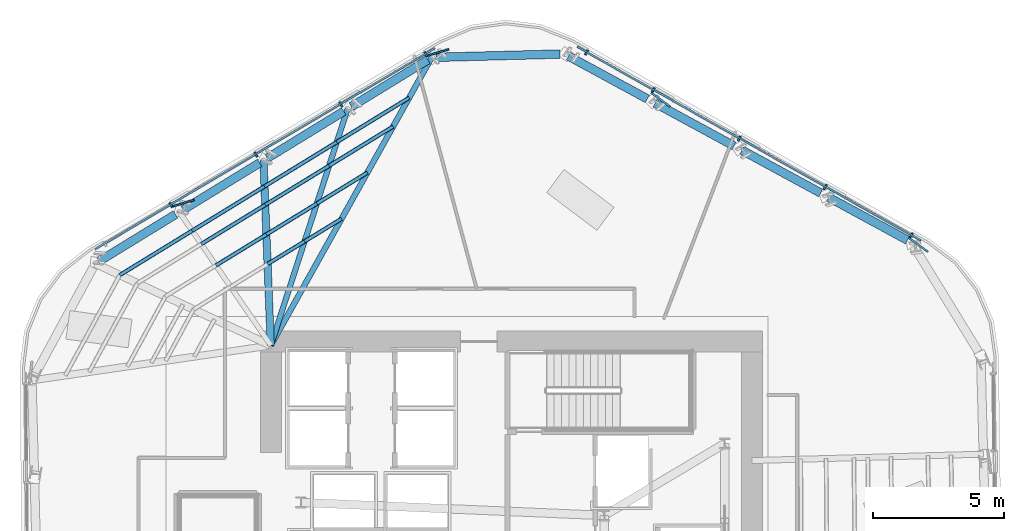
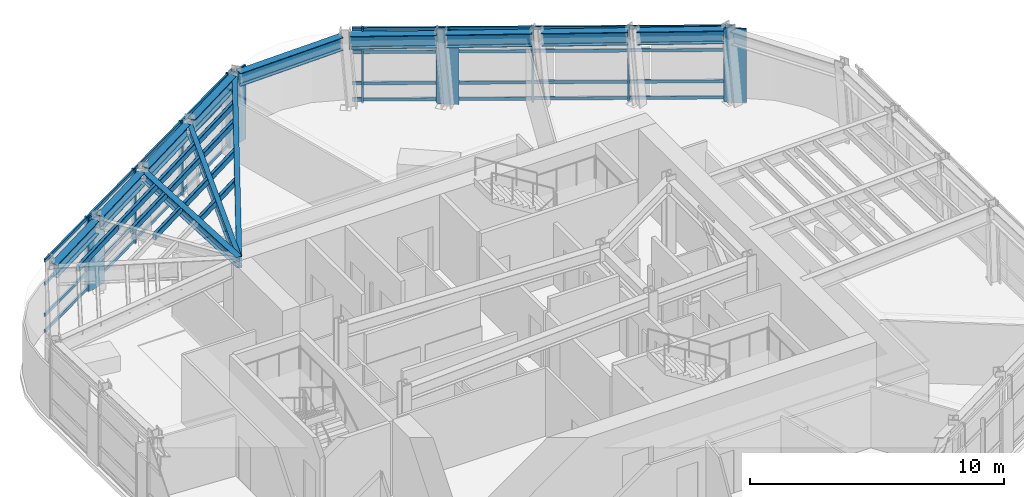
# One storey, part 6 of 16: 33 members, 12 beams, 2 elements without a shape of their own.
"""IFC4 building model written with IfcOpenShell, lengths in metres."""

from ifc_helpers import new_model, si_unit, direction, frame, origin, origin_2d, place, context, subcontext, project, spatial, rectangle, hollow_rectangle, i_section, extrude, material, layer, layer_set, material_profile, profile_set, type_object, element, aggregate, save


model = new_model("IFC4")

# Units and contexts
model_context = context("Model", 3, precision=1e-05, world=origin(), true_north=direction((0.0, 1.0)))
body_context = subcontext(model_context, "Body", "Model", "MODEL_VIEW")
ifc_project = project(units=[si_unit("LENGTHUNIT", "METRE"), si_unit("AREAUNIT", "SQUARE_METRE"), si_unit("VOLUMEUNIT", "CUBIC_METRE"), si_unit("PLANEANGLEUNIT", "RADIAN"), si_unit("MASSUNIT", "GRAM", prefix="KILO")], contexts=[model_context])

# Site, building, storey
site_placement = place(None, origin())
site = spatial("IfcSite", under=ifc_project, at=site_placement, CompositionType="ELEMENT")
building_placement = place(site_placement, origin())
building = spatial("IfcBuilding", under=site, at=building_placement, Name="Valkerne Bourse Tower", CompositionType="ELEMENT")
storey_placement = place(building_placement, frame((0.0, 0.0, 155.199951171875)))
storey = spatial("IfcBuildingStorey", under=building, at=storey_placement, Name="L39", CompositionType="ELEMENT", Elevation=155.199951171875)

# Beams
ifc_material_1 = material(Name="Steel ASTM A992", Category="steel")
ifc_material_profile_1 = material_profile(ifc_material_1, i_section(OverallWidth=0.279296875, OverallDepth=0.46240234375, WebThickness=0.0107421875, FlangeThickness=0.017333984375, FilletRadius=0.017822265625, at=origin_2d()), Name="W18X76")
ifc_profile_set_1 = profile_set([ifc_material_profile_1], Name="Steel ASTM A992")
beam_type_1 = type_object("IfcBeamType", Name="BM-W18X76", PredefinedType="BEAM", material=ifc_profile_set_1)
beam_1_placement = place(storey_placement, frame((37.3203125, 42.469482421875, 3.348876953125), z_axis=(0.039544966313, -0.999217791895, 0.0), x_axis=(0.999217791895, 0.039544966313, 0.0)))
element("IfcBeam", 1, at=beam_1_placement, inside=storey, type_object=beam_type_1, Name="L39 Radial Composite Floor Beam 07", PredefinedType="BEAM", context=body_context, shape_type="SweptSolid", body=[
    extrude(i_section(OverallWidth=0.279296875, OverallDepth=0.46240234375, WebThickness=0.0107421875, FlangeThickness=0.017333984375, FilletRadius=0.017822265625, at=origin_2d()), origin(), (0.0, 0.0, 1.0), 7.0751953125),
])
ifc_material_profile_2 = material_profile(ifc_material_1, i_section(OverallWidth=0.209228515625, OverallDepth=0.533447265625, WebThickness=0.01025390625, FlangeThickness=0.015625, FilletRadius=0.017822265625, at=origin_2d()), Name="W21X62")
ifc_profile_set_2 = profile_set([ifc_material_profile_2], Name="Steel ASTM A992")
beam_type_2 = type_object("IfcBeamType", Name="BM-W21X62", PredefinedType="JOIST", material=ifc_profile_set_2)
beam_2_placement = place(storey_placement, frame((40.535400390625, 44.43994140625, 3.313232421875), z_axis=(-0.308828180059, -0.951117845065, 0.0), x_axis=(0.951117845065, -0.308828180059, 0.0)))
element("IfcBeam", 2, at=beam_2_placement, inside=storey, type_object=beam_type_2, Name="L39 Radial Composite Floor Beam 06", PredefinedType="JOIST", context=body_context, shape_type="SweptSolid", body=[
    extrude(i_section(OverallWidth=0.209228515625, OverallDepth=0.533447265625, WebThickness=0.01025390625, FlangeThickness=0.015625, FilletRadius=0.017822265625, at=origin_2d()), origin(), (0.0, 0.0, 1.0), 9.504638671875),
])
ifc_material_profile_3 = material_profile(ifc_material_1, i_section(OverallWidth=0.2138671875, OverallDepth=0.548583984375, WebThickness=0.0146484375, FlangeThickness=0.023681640625, FilletRadius=0.017822265625, at=origin_2d()), Name="W21X93")
ifc_profile_set_3 = profile_set([ifc_material_profile_3], Name="Steel ASTM A992")
beam_type_3 = type_object("IfcBeamType", Name="BM-W21X93", PredefinedType="BEAM", material=ifc_profile_set_3)
beam_3_placement = place(storey_placement, frame((43.750732421875, 46.410400390625, 3.3056640625), z_axis=(-0.487682949745, -0.873020813342, 0.0), x_axis=(0.873020813342, -0.487682949745, 0.0)))
element("IfcBeam", 3, at=beam_3_placement, inside=storey, type_object=beam_type_3, Name="L39 Radial Composite Floor Beam 05", PredefinedType="BEAM", context=body_context, shape_type="SweptSolid", body=[
    extrude(i_section(OverallWidth=0.2138671875, OverallDepth=0.548583984375, WebThickness=0.0146484375, FlangeThickness=0.023681640625, FilletRadius=0.017822265625, at=origin_2d()), origin(), (0.0, 0.0, 1.0), 12.612060546875),
])
ifc_material_profile_4 = material_profile(ifc_material_1, i_section(OverallWidth=0.32763671875, OverallDepth=0.62744140625, WebThickness=0.0166015625, FlangeThickness=0.027587890625, FilletRadius=0.020263671875, at=origin_2d()), Name="W24X146")
ifc_profile_set_4 = profile_set([ifc_material_profile_4], Name="Steel ASTM A992")
beam_type_4 = type_object("IfcBeamType", Name="BM-W24X146", PredefinedType="SPANDREL", material=ifc_profile_set_4)
for number, where, z_axis, x_axis, name in (
    (4, (61.935791015625, 39.427001953125, 3.266357421875), (-0.878802278942, 0.477186079561, 0.0), (-0.477186079561, -0.878802278942, 0.0), "L39 Hexagonal Spandrel Ring Beam 00"),
    (5, (58.621826171875, 41.226318359375, 3.266357421875), (-0.878802278942, 0.477186079561, 0.0), (-0.477186079561, -0.878802278942, 0.0), "L39 Hexagonal Spandrel Ring Beam 01"),
):
    element("IfcBeam", number, at=place(storey_placement, frame(where, z_axis=z_axis, x_axis=x_axis)), inside=storey, type_object=beam_type_4, Name=name, PredefinedType="SPANDREL", context=body_context, shape_type="SweptSolid", body=[
        extrude(i_section(OverallWidth=0.32763671875, OverallDepth=0.62744140625, WebThickness=0.0166015625, FlangeThickness=0.027587890625, FilletRadius=0.020263671875, at=origin_2d()), origin(), (0.0, 0.0, 1.0), 3.430908203125),
    ])
for number, where, z_axis, x_axis, name in (
    (6, (55.307861328125, 43.025634765625, 3.266357421875), (-0.878818480583, 0.477156240854, 0.0), (-0.477156240854, -0.878818480583, 0.0), "L39 Hexagonal Spandrel Ring Beam 02"),
    (7, (51.993896484375, 44.824951171875, 3.266357421875), (-0.878818480583, 0.477156240854, 0.0), (-0.477156240854, -0.878818480583, 0.0), "L39 Hexagonal Spandrel Ring Beam 03"),
):
    element("IfcBeam", number, at=place(storey_placement, frame(where, z_axis=z_axis, x_axis=x_axis)), inside=storey, type_object=beam_type_4, Name=name, PredefinedType="SPANDREL", context=body_context, shape_type="SweptSolid", body=[
        extrude(i_section(OverallWidth=0.32763671875, OverallDepth=0.62744140625, WebThickness=0.0166015625, FlangeThickness=0.027587890625, FilletRadius=0.020263671875, at=origin_2d()), origin(), (0.0, 0.0, 1.0), 3.43115234375),
    ])
beam_4_placement = place(storey_placement, frame((48.6591796875, 46.538818359375, 3.266357421875), z_axis=(-0.999657651803, -0.026164464275, 0.0), x_axis=(0.026164464275, -0.999657651803, 0.0)))
element("IfcBeam", 8, at=beam_4_placement, inside=storey, type_object=beam_type_4, Name="L39 Hexagonal Spandrel Ring Beam 04", PredefinedType="SPANDREL", context=body_context, shape_type="SweptSolid", body=[
    extrude(i_section(OverallWidth=0.32763671875, OverallDepth=0.62744140625, WebThickness=0.0166015625, FlangeThickness=0.027587890625, FilletRadius=0.020263671875, at=origin_2d()), origin(), (0.0, 0.0, 1.0), 4.740234375),
])
for number, where, z_axis, x_axis, name in (
    (9, (43.60595703125, 46.321533203125, 3.266357421875), (-0.852646245689, -0.522488640749, 0.0), (0.522488640749, -0.852646245689, 0.0), "L39 Hexagonal Spandrel Ring Beam 05"),
    (10, (40.390625, 44.351318359375, 3.266357421875), (-0.852614546043, -0.522540367699, 0.0), (0.522540367699, -0.852614546043, 0.0), "L39 Hexagonal Spandrel Ring Beam 06"),
    (11, (37.17529296875, 42.380859375, 3.266357421875), (-0.852646245689, -0.522488640749, 0.0), (0.522488640749, -0.852646245689, 0.0), "L39 Hexagonal Spandrel Ring Beam 07"),
):
    element("IfcBeam", number, at=place(storey_placement, frame(where, z_axis=z_axis, x_axis=x_axis)), inside=storey, type_object=beam_type_4, Name=name, PredefinedType="SPANDREL", context=body_context, shape_type="SweptSolid", body=[
        extrude(i_section(OverallWidth=0.32763671875, OverallDepth=0.62744140625, WebThickness=0.0166015625, FlangeThickness=0.027587890625, FilletRadius=0.020263671875, at=origin_2d()), origin(), (0.0, 0.0, 1.0), 3.43115234375),
    ])
beam_5_placement = place(storey_placement, frame((33.9599609375, 40.410400390625, 3.266357421875), z_axis=(-0.852677944554, -0.522436908029, 0.0), x_axis=(0.522436908029, -0.852677944554, 0.0)))
element("IfcBeam", 12, at=beam_5_placement, inside=storey, type_object=beam_type_4, Name="L39 Hexagonal Spandrel Ring Beam 08", PredefinedType="SPANDREL", context=body_context, shape_type="SweptSolid", body=[
    extrude(i_section(OverallWidth=0.32763671875, OverallDepth=0.62744140625, WebThickness=0.0166015625, FlangeThickness=0.027587890625, FilletRadius=0.020263671875, at=origin_2d()), origin(), (0.0, 0.0, 1.0), 3.430908203125),
])

# Curtain wall, members
ifc_material_2 = material(Name="Aluminium AA 6063-T6", Category="aluminium")
ifc_layer = layer(ifc_material_2, 0.235107421875)
ifc_layer_set = layer_set([ifc_layer], Name="Aluminium AA 6063-T6")
curtain_wall_type = type_object("IfcCurtainWallType", Name="CW-03", PredefinedType="NOTDEFINED", material=ifc_layer_set)
curtain_wall_1_placement = place(storey_placement, origin())
curtain_wall_1 = element("IfcCurtainWall", 13, at=curtain_wall_1_placement, inside=storey, type_object=curtain_wall_type, Name="L39 Hexagonal Stick Curtain Wall Face 1", PredefinedType="NOTDEFINED")
ifc_material_profile_5 = material_profile(ifc_material_2, rectangle(XDim=0.074951171875, YDim=0.199951171875, at=origin_2d()), Name="CWM-75X200")
ifc_profile_set_5 = profile_set([ifc_material_profile_5], Name="Aluminium AA 6063-T6")
member_type_1 = type_object("IfcMemberType", Name="CW-MUL-220X75", PredefinedType="MULLION", material=ifc_profile_set_5)
member_1_placement = place(storey_placement, frame((62.078369140625, 39.606689453125, 0.0), z_axis=(0.0, 0.0, 1.0), x_axis=(-0.871216959432, 0.490898166219, 0.0)))
member_1 = element("IfcMember", 14, at=member_1_placement, type_object=member_type_1, Name="CW-L39-F1 Jamb Mullion 00A", PredefinedType="MULLION", context=body_context, shape_type="SweptSolid", body=[
    extrude(rectangle(XDim=0.074951171875, YDim=0.199951171875, at=origin_2d()), origin(), (0.0, 0.0, 1.0), 3.580078125),
])
member_2_placement = place(storey_placement, frame((58.79296875, 41.457763671875, 0.0), z_axis=(0.0, 0.0, 1.0), x_axis=(-0.871210568919, 0.490909507552, 0.0)))
member_2 = element("IfcMember", 15, at=member_2_placement, type_object=member_type_1, Name="CW-L39-F1 Jamb Mullion 01A", PredefinedType="MULLION", context=body_context, shape_type="SweptSolid", body=[
    extrude(rectangle(XDim=0.074951171875, YDim=0.199951171875, at=origin_2d()), origin(), (0.0, 0.0, 1.0), 3.580078125),
])
member_3_placement = place(storey_placement, frame((55.507568359375, 43.30908203125, 0.0), z_axis=(0.0, 0.0, 1.0), x_axis=(-0.871216959432, 0.490898166219, 0.0)))
member_3 = element("IfcMember", 16, at=member_3_placement, type_object=member_type_1, Name="CW-L39-F1 Jamb Mullion 02A", PredefinedType="MULLION", context=body_context, shape_type="SweptSolid", body=[
    extrude(rectangle(XDim=0.074951171875, YDim=0.199951171875, at=origin_2d()), origin(), (0.0, 0.0, 1.0), 3.580078125),
])
member_4_placement = place(storey_placement, frame((52.22216796875, 45.16015625, 0.0), z_axis=(0.0, 0.0, 1.0), x_axis=(-0.871210568919, 0.490909507552, 0.0)))
member_4 = element("IfcMember", 17, at=member_4_placement, type_object=member_type_1, Name="CW-L39-F1 Jamb Mullion 03A", PredefinedType="MULLION", context=body_context, shape_type="SweptSolid", body=[
    extrude(rectangle(XDim=0.074951171875, YDim=0.199951171875, at=origin_2d()), origin(), (0.0, 0.0, 1.0), 3.580078125),
])
member_5_placement = place(storey_placement, frame((49.668701171875, 46.59912109375, 0.0), z_axis=(0.0, 0.0, 1.0), x_axis=(-0.871210568919, 0.490909507552, 0.0)))
member_5 = element("IfcMember", 18, at=member_5_placement, type_object=member_type_1, Name="CW-L39-F1 Jamb Mullion 03B", PredefinedType="MULLION", context=body_context, shape_type="SweptSolid", body=[
    extrude(rectangle(XDim=0.074951171875, YDim=0.199951171875, at=origin_2d()), origin(), (0.0, 0.0, 1.0), 3.580078125),
])

curtain_wall_2_placement = place(storey_placement, origin())
curtain_wall_2 = element("IfcCurtainWall", 19, at=curtain_wall_2_placement, inside=storey, type_object=curtain_wall_type, Name="L39 Hexagonal Stick Curtain Wall Face 2", PredefinedType="NOTDEFINED")
member_6_placement = place(storey_placement, frame((43.521484375, 46.53466796875, 0.0), z_axis=(0.0, 0.0, 1.0), x_axis=(-0.860744340177, -0.509037504368, 0.0)))
member_6 = element("IfcMember", 20, at=member_6_placement, type_object=member_type_1, Name="CW-L39-F2 Jamb Mullion 00A", PredefinedType="MULLION", context=body_context, shape_type="SweptSolid", body=[
    extrude(rectangle(XDim=0.074951171875, YDim=0.199951171875, at=origin_2d()), origin(), (0.0, 0.0, 1.0), 3.580078125),
])
member_7_placement = place(storey_placement, frame((40.275634765625, 44.614990234375, 0.0), z_axis=(0.0, 0.0, 1.0), x_axis=(-0.860744340177, -0.509037504368, 0.0)))
member_7 = element("IfcMember", 21, at=member_7_placement, type_object=member_type_1, Name="CW-L39-F2 Jamb Mullion 01A", PredefinedType="MULLION", context=body_context, shape_type="SweptSolid", body=[
    extrude(rectangle(XDim=0.074951171875, YDim=0.199951171875, at=origin_2d()), origin(), (0.0, 0.0, 1.0), 3.580078125),
])
member_8_placement = place(storey_placement, frame((37.02978515625, 42.695556640625, 0.0), z_axis=(0.0, 0.0, 1.0), x_axis=(-0.860737468652, -0.509049123424, 0.0)))
member_8 = element("IfcMember", 22, at=member_8_placement, type_object=member_type_1, Name="CW-L39-F2 Jamb Mullion 02A", PredefinedType="MULLION", context=body_context, shape_type="SweptSolid", body=[
    extrude(rectangle(XDim=0.074951171875, YDim=0.199951171875, at=origin_2d()), origin(), (0.0, 0.0, 1.0), 3.580078125),
])
member_9_placement = place(storey_placement, frame((33.783935546875, 40.77587890625, 0.0), z_axis=(0.0, 0.0, 1.0), x_axis=(-0.860755958963, -0.509017857358, 0.0)))
member_9 = element("IfcMember", 23, at=member_9_placement, type_object=member_type_1, Name="CW-L39-F2 Jamb Mullion 03A", PredefinedType="MULLION", context=body_context, shape_type="SweptSolid", body=[
    extrude(rectangle(XDim=0.074951171875, YDim=0.199951171875, at=origin_2d()), origin(), (0.0, 0.0, 1.0), 3.580078125),
])

# Member
ifc_material_profile_6 = material_profile(ifc_material_2, rectangle(XDim=0.074951171875, YDim=0.14990234375, at=origin_2d()), Name="CWT-75X150")
ifc_profile_set_6 = profile_set([ifc_material_profile_6], Name="Aluminium AA 6063-T6")
member_type_2 = type_object("IfcMemberType", Name="CW-TRN-180X65", PredefinedType="USERDEFINED", material=ifc_profile_set_6)
member_10_placement = place(storey_placement, frame((62.4541015625, 39.417724609375, 0.1201171875), z_axis=(-0.871217405255, 0.490897374998, 0.0), x_axis=(-0.490897374998, -0.871217405255, 0.0)))
member_10 = element("IfcMember", 24, at=member_10_placement, type_object=member_type_2, Name="CW-L39-F1 Continuous Face Transom 1", ObjectType="TRANSOM", PredefinedType="USERDEFINED", context=body_context, shape_type="SweptSolid", body=[
    extrude(rectangle(XDim=0.074951171875, YDim=0.14990234375, at=origin_2d()), origin(), (0.0, 0.0, 1.0), 15.084228515625),
])

member_11_placement = place(storey_placement, frame((62.4541015625, 39.417724609375, 0.900146484375), z_axis=(-0.871217405255, 0.490897374998, 0.0), x_axis=(-0.490897374998, -0.871217405255, 0.0)))
member_11 = element("IfcMember", 25, at=member_11_placement, type_object=member_type_2, Name="CW-L39-F1 Continuous Face Transom 2", ObjectType="TRANSOM", PredefinedType="USERDEFINED", context=body_context, shape_type="SweptSolid", body=[
    extrude(rectangle(XDim=0.074951171875, YDim=0.14990234375, at=origin_2d()), origin(), (0.0, 0.0, 1.0), 15.084228515625),
])

member_12_placement = place(storey_placement, frame((62.4541015625, 39.417724609375, 2.400146484375), z_axis=(-0.871217405255, 0.490897374998, 0.0), x_axis=(-0.490897374998, -0.871217405255, 0.0)))
member_12 = element("IfcMember", 26, at=member_12_placement, type_object=member_type_2, Name="CW-L39-F1 Continuous Face Transom 3", ObjectType="TRANSOM", PredefinedType="USERDEFINED", context=body_context, shape_type="SweptSolid", body=[
    extrude(rectangle(XDim=0.074951171875, YDim=0.14990234375, at=origin_2d()), origin(), (0.0, 0.0, 1.0), 15.084228515625),
])

member_13_placement = place(storey_placement, frame((62.4541015625, 39.417724609375, 3.5), z_axis=(-0.871217405255, 0.490897374998, 0.0), x_axis=(-0.490897374998, -0.871217405255, 0.0)))
member_13 = element("IfcMember", 27, at=member_13_placement, type_object=member_type_2, Name="CW-L39-F1 Continuous Face Transom 4", ObjectType="TRANSOM", PredefinedType="USERDEFINED", context=body_context, shape_type="SweptSolid", body=[
    extrude(rectangle(XDim=0.074951171875, YDim=0.14990234375, at=origin_2d()), origin(), (0.0, 0.0, 1.0), 15.084228515625),
])

aggregate(curtain_wall_1, [member_10, member_11, member_12, member_13, member_1, member_2, member_3, member_4, member_5])

member_14_placement = place(storey_placement, frame((43.872802734375, 46.765625, 0.1201171875), z_axis=(-0.860746029041, -0.509034648615, 0.0), x_axis=(0.509034648615, -0.860746029041, 0.0)))
member_14 = element("IfcMember", 28, at=member_14_placement, type_object=member_type_2, Name="CW-L39-F2 Continuous Face Transom 1", ObjectType="TRANSOM", PredefinedType="USERDEFINED", context=body_context, shape_type="SweptSolid", body=[
    extrude(rectangle(XDim=0.074951171875, YDim=0.14990234375, at=origin_2d()), origin(), (0.0, 0.0, 1.0), 15.083984375),
])

member_15_placement = place(storey_placement, frame((43.872802734375, 46.765625, 0.900146484375), z_axis=(-0.860746029041, -0.509034648615, 0.0), x_axis=(0.509034648615, -0.860746029041, 0.0)))
member_15 = element("IfcMember", 29, at=member_15_placement, type_object=member_type_2, Name="CW-L39-F2 Continuous Face Transom 2", ObjectType="TRANSOM", PredefinedType="USERDEFINED", context=body_context, shape_type="SweptSolid", body=[
    extrude(rectangle(XDim=0.074951171875, YDim=0.14990234375, at=origin_2d()), origin(), (0.0, 0.0, 1.0), 15.083984375),
])

member_16_placement = place(storey_placement, frame((43.872802734375, 46.765625, 2.400146484375), z_axis=(-0.860746029041, -0.509034648615, 0.0), x_axis=(0.509034648615, -0.860746029041, 0.0)))
member_16 = element("IfcMember", 30, at=member_16_placement, type_object=member_type_2, Name="CW-L39-F2 Continuous Face Transom 3", ObjectType="TRANSOM", PredefinedType="USERDEFINED", context=body_context, shape_type="SweptSolid", body=[
    extrude(rectangle(XDim=0.074951171875, YDim=0.14990234375, at=origin_2d()), origin(), (0.0, 0.0, 1.0), 15.083984375),
])

member_17_placement = place(storey_placement, frame((43.872802734375, 46.765625, 3.5), z_axis=(-0.860746029041, -0.509034648615, 0.0), x_axis=(0.509034648615, -0.860746029041, 0.0)))
member_17 = element("IfcMember", 31, at=member_17_placement, type_object=member_type_2, Name="CW-L39-F2 Continuous Face Transom 4", ObjectType="TRANSOM", PredefinedType="USERDEFINED", context=body_context, shape_type="SweptSolid", body=[
    extrude(rectangle(XDim=0.074951171875, YDim=0.14990234375, at=origin_2d()), origin(), (0.0, 0.0, 1.0), 15.083984375),
])

aggregate(curtain_wall_2, [member_14, member_15, member_16, member_17, member_6, member_7, member_8, member_9])

# Members
ifc_material_3 = material(Name="Bronze Anodised Aluminium AA 6063-T6", Category="aluminium")
ifc_material_profile_7 = material_profile(ifc_material_3, rectangle(XDim=0.070068359375, YDim=0.89990234375, at=origin_2d()), Name="FIN-70X900")
ifc_profile_set_7 = profile_set([ifc_material_profile_7], Name="Bronze Anodised Aluminium AA 6063-T6")
member_type_3 = type_object("IfcMemberType", Name="FIN-SOLAR-900", PredefinedType="USERDEFINED", material=ifc_profile_set_7)
for number, where, z_axis, x_axis, name in (
    (32, (62.355712890625, 39.24365234375, 0.004150390625), (0.0, 0.0, 1.0), (0.590724056863, 0.806873650978, 0.0), "L39 Bronze Anodised Solar Fin F1-00"),
    (33, (52.499755859375, 44.797119140625, 0.004150390625), (0.0, 0.0, 1.0), (0.590732318011, 0.806867602806, 0.0), "L39 Bronze Anodised Solar Fin F1-03"),
    (34, (43.974609375, 46.593505859375, 0.004150390625), (0.0, 0.0, 1.0), (-0.285712917246, 0.958315255497, 0.0), "L39 Bronze Anodised Solar Fin F2-00"),
    (35, (34.237060546875, 40.834716796875, 0.004150390625), (0.0, 0.0, 1.0), (-0.285691127258, 0.958321751713, 0.0), "L39 Bronze Anodised Solar Fin F2-03"),
):
    element("IfcMember", number, at=place(storey_placement, frame(where, z_axis=z_axis, x_axis=x_axis)), inside=storey, type_object=member_type_3, Name=name, ObjectType="SOLAR_FIN", PredefinedType="USERDEFINED", context=body_context, shape_type="SweptSolid", body=[
        extrude(rectangle(XDim=0.070068359375, YDim=0.89990234375, at=origin_2d()), origin(), (0.0, 0.0, 1.0), 3.57177734375),
    ])
ifc_material_4 = material(Name="Steel ASTM A500 Grade C", Category="steel")
ifc_material_profile_8 = material_profile(ifc_material_4, hollow_rectangle(XDim=0.14990234375, YDim=0.300048828125, WallThickness=0.012451171875, OuterFilletRadius=0.02490234375, at=origin_2d()), Name="HSS300X150X12.5")
ifc_profile_set_8 = profile_set([ifc_material_profile_8], Name="Steel ASTM A500 Grade C")
member_type_4 = type_object("IfcMemberType", Name="MBR-HSS300X150X12.5", PredefinedType="PURLIN", material=ifc_profile_set_8)
member_18_placement = place(storey_placement, frame((40.306396484375, 40.244384765625, 3.420166015625), z_axis=(-0.852717546523, -0.522372267499, 0.0), x_axis=(0.522372267499, -0.852717546523, 0.0)))
element("IfcMember", 36, at=member_18_placement, inside=storey, type_object=member_type_4, Name="L39 Secondary Composite Floor Purlin K-05", PredefinedType="PURLIN", context=body_context, shape_type="SweptSolid", body=[
    extrude(hollow_rectangle(XDim=0.14990234375, YDim=0.300048828125, WallThickness=0.012451171875, OuterFilletRadius=0.02490234375, at=origin_2d()), origin(), (0.0, 0.0, 1.0), 1.6591796875),
])
member_19_placement = place(storey_placement, frame((38.8916015625, 39.377685546875, 3.420166015625), z_axis=(-0.852586450588, -0.522586207504, 0.0), x_axis=(0.522586207504, -0.852586450588, 0.0)))
element("IfcMember", 37, at=member_19_placement, inside=storey, type_object=member_type_4, Name="L39 Secondary Composite Floor Purlin K-06", PredefinedType="PURLIN", context=body_context, shape_type="SweptSolid", body=[
    extrude(hollow_rectangle(XDim=0.14990234375, YDim=0.300048828125, WallThickness=0.012451171875, OuterFilletRadius=0.02490234375, at=origin_2d()), origin(), (0.0, 0.0, 1.0), 1.659423828125),
])
for number, where, z_axis, x_axis, name in (
    (38, (42.274658203125, 43.767822265625, 3.420166015625), (-0.852660016058, -0.522466168297, 0.0), (0.522466168297, -0.852660016058, 0.0), "L39 Secondary Composite Floor Purlin O-05"),
    (39, (39.8310546875, 42.2705078125, 3.420166015625), (-0.852622064843, -0.522528099285, 0.0), (0.522528099285, -0.852622064843, 0.0), "L39 Secondary Composite Floor Purlin O-06"),
):
    element("IfcMember", number, at=place(storey_placement, frame(where, z_axis=z_axis, x_axis=x_axis)), inside=storey, type_object=member_type_4, Name=name, PredefinedType="PURLIN", context=body_context, shape_type="SweptSolid", body=[
        extrude(hollow_rectangle(XDim=0.14990234375, YDim=0.300048828125, WallThickness=0.012451171875, OuterFilletRadius=0.02490234375, at=origin_2d()), origin(), (0.0, 0.0, 1.0), 2.865966796875),
    ])
member_20_placement = place(storey_placement, frame((37.387451171875, 40.77294921875, 3.420166015625), z_axis=(-0.852645320995, -0.522490149749, 0.0), x_axis=(0.522490149749, -0.852645320995, 0.0)))
element("IfcMember", 40, at=member_20_placement, inside=storey, type_object=member_type_4, Name="L39 Secondary Composite Floor Purlin O-07", PredefinedType="PURLIN", context=body_context, shape_type="SweptSolid", body=[
    extrude(hollow_rectangle(XDim=0.14990234375, YDim=0.300048828125, WallThickness=0.012451171875, OuterFilletRadius=0.02490234375, at=origin_2d()), origin(), (0.0, 0.0, 1.0), 2.8662109375),
])
for number, where, z_axis, x_axis, name in (
    (41, (41.29052734375, 42.006103515625, 3.420166015625), (-0.852657076824, -0.52247096507, 0.0), (0.52247096507, -0.852657076824, 0.0), "L39 Secondary Composite Floor Purlin Z-05"),
    (42, (39.361328125, 40.823974609375, 3.420166015625), (-0.852657076824, -0.52247096507, 0.0), (0.52247096507, -0.852657076824, 0.0), "L39 Secondary Composite Floor Purlin Z-06"),
    (43, (37.43212890625, 39.641845703125, 3.420166015625), (-0.852657076824, -0.52247096507, 0.0), (0.52247096507, -0.852657076824, 0.0), "L39 Secondary Composite Floor Purlin Z-07"),
):
    element("IfcMember", number, at=place(storey_placement, frame(where, z_axis=z_axis, x_axis=x_axis)), inside=storey, type_object=member_type_4, Name=name, PredefinedType="PURLIN", context=body_context, shape_type="SweptSolid", body=[
        extrude(hollow_rectangle(XDim=0.14990234375, YDim=0.300048828125, WallThickness=0.012451171875, OuterFilletRadius=0.02490234375, at=origin_2d()), origin(), (0.0, 0.0, 1.0), 2.2626953125),
    ])
member_21_placement = place(storey_placement, frame((42.8896484375, 44.868896484375, 3.420166015625), z_axis=(-0.852626136125, -0.522521456016, 0.0), x_axis=(0.522521456016, -0.852626136125, 0.0)))
element("IfcMember", 44, at=member_21_placement, inside=storey, type_object=member_type_4, Name="L39 Secondary Composite Floor Purlin T-05", PredefinedType="PURLIN", context=body_context, shape_type="SweptSolid", body=[
    extrude(hollow_rectangle(XDim=0.14990234375, YDim=0.300048828125, WallThickness=0.012451171875, OuterFilletRadius=0.02490234375, at=origin_2d()), origin(), (0.0, 0.0, 1.0), 3.2431640625),
])
member_22_placement = place(storey_placement, frame((40.12451171875, 43.17431640625, 3.420166015625), z_axis=(-0.852659674281, -0.522466726074, 0.0), x_axis=(0.522466726074, -0.852659674281, 0.0)))
element("IfcMember", 45, at=member_22_placement, inside=storey, type_object=member_type_4, Name="L39 Secondary Composite Floor Purlin T-06", PredefinedType="PURLIN", context=body_context, shape_type="SweptSolid", body=[
    extrude(hollow_rectangle(XDim=0.14990234375, YDim=0.300048828125, WallThickness=0.012451171875, OuterFilletRadius=0.02490234375, at=origin_2d()), origin(), (0.0, 0.0, 1.0), 3.242919921875),
])
for number, where, z_axis, x_axis, name in (
    (46, (37.359375, 41.47998046875, 3.420166015625), (-0.852626136125, -0.522521456016, 0.0), (0.522521456016, -0.852626136125, 0.0), "L39 Secondary Composite Floor Purlin T-07"),
    (47, (34.59423828125, 39.785400390625, 3.420166015625), (-0.852626136125, -0.522521456016, 0.0), (0.522521456016, -0.852626136125, 0.0), "L39 Secondary Composite Floor Purlin T-08"),
):
    element("IfcMember", number, at=place(storey_placement, frame(where, z_axis=z_axis, x_axis=x_axis)), inside=storey, type_object=member_type_4, Name=name, PredefinedType="PURLIN", context=body_context, shape_type="SweptSolid", body=[
        extrude(hollow_rectangle(XDim=0.14990234375, YDim=0.300048828125, WallThickness=0.012451171875, OuterFilletRadius=0.02490234375, at=origin_2d()), origin(), (0.0, 0.0, 1.0), 3.2431640625),
    ])

save(model, "model.ifc")
